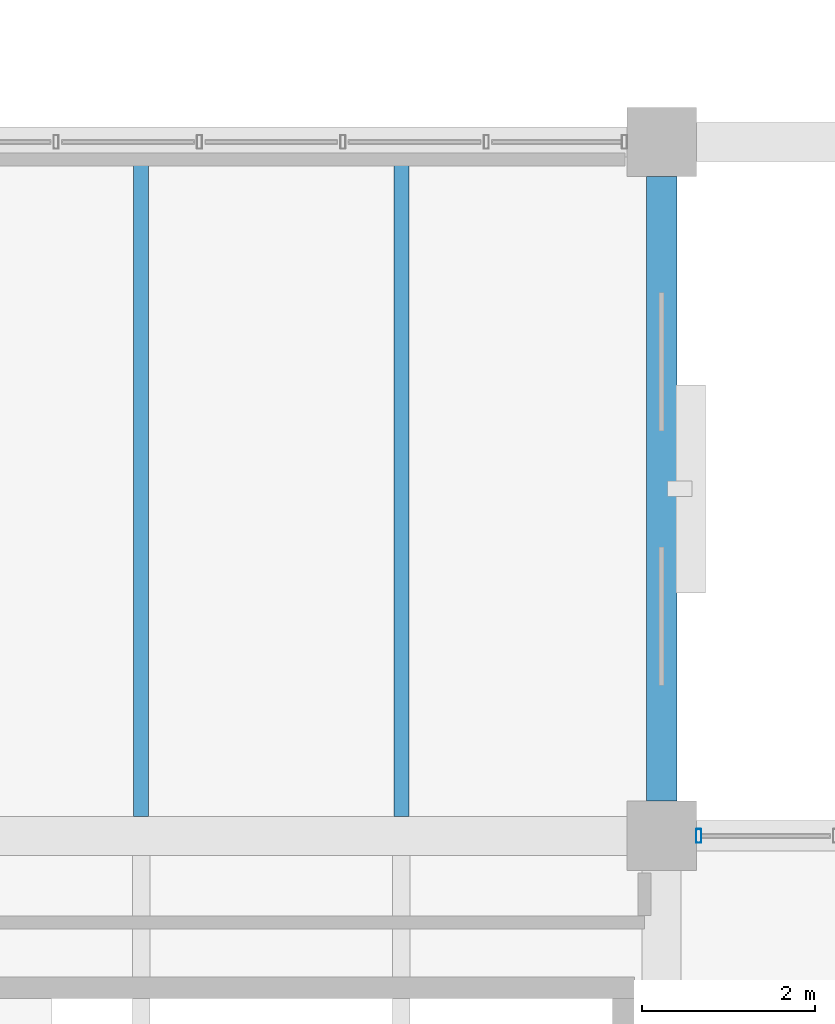
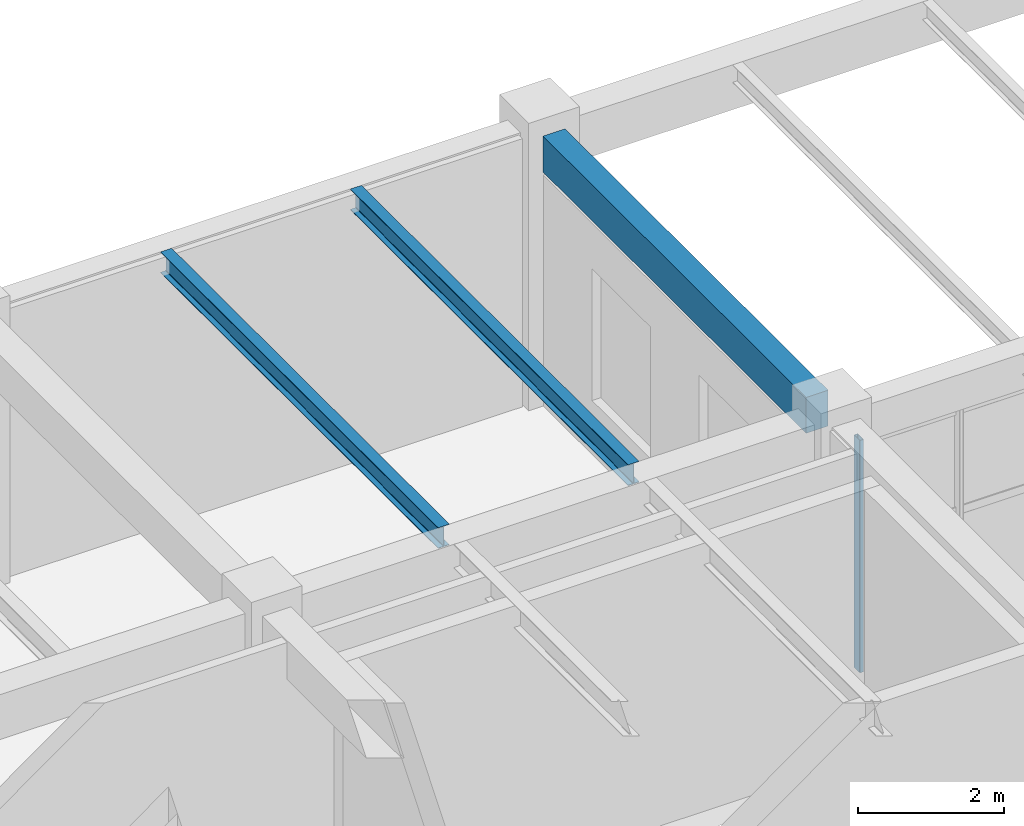
# One storey, part 79 of 178: 3 beams, 1 member, 1 element without a shape of its own.
"""IFC4 building model written with IfcOpenShell, lengths in metres."""

from ifc_helpers import new_model, si_unit, derived_unit, direction, frame, origin, origin_2d, place, context, subcontext, project, spatial, rectangle, hollow_rectangle, i_section, extrude, material, material_profile, profile_set, type_object, element, aggregate, save


model = new_model("IFC4")

# Units and contexts
model_context = context("Model", 3, precision=1e-05, world=origin(), true_north=direction((0.0, 1.0)))
body_context = subcontext(model_context, "Body", "Model", "MODEL_VIEW")
ifc_project = project(units=[si_unit("LENGTHUNIT", "METRE"), si_unit("AREAUNIT", "SQUARE_METRE"), si_unit("VOLUMEUNIT", "CUBIC_METRE"), si_unit("PLANEANGLEUNIT", "RADIAN"), si_unit("MASSUNIT", "GRAM", prefix="KILO"), derived_unit("THERMALTRANSMITTANCEUNIT", [(si_unit("MASSUNIT", "GRAM", prefix="KILO"), 1), (si_unit("TIMEUNIT", "SECOND"), -3), (si_unit("THERMODYNAMICTEMPERATUREUNIT", "KELVIN"), -1)])], contexts=[model_context])

# Site, building, storey
site_placement = place(None, origin())
site = spatial("IfcSite", under=ifc_project, at=site_placement, CompositionType="ELEMENT")
building_placement = place(site_placement, origin())
building = spatial("IfcBuilding", under=site, at=building_placement, Name="Zhenchuan Archway Interchange", CompositionType="ELEMENT")
storey_placement = place(building_placement, frame((0.0, 0.0, 5.39990234375)))
storey = spatial("IfcBuildingStorey", under=building, at=storey_placement, Name="L01", CompositionType="ELEMENT", Elevation=5.39990234375)

# Curtain wall, member
ifc_material_1 = material(Name="Anodised Aluminium", Category="aluminium")
curtain_wall_type = type_object("IfcCurtainWallType", Name="CW_UNIT_1", PredefinedType="NOTDEFINED", material=ifc_material_1)
curtain_wall_placement = place(storey_placement, origin())
curtain_wall = element("IfcCurtainWall", 1, at=curtain_wall_placement, inside=storey, type_object=curtain_wall_type, Name="Unitised curtain wall CW:L01:052", PredefinedType="NOTDEFINED")
ifc_material_profile_1 = material_profile(ifc_material_1, hollow_rectangle(XDim=0.06005859375, YDim=0.159912109375, WallThickness=0.00390625, InnerFilletRadius=0.00390625, OuterFilletRadius=0.008056640625, at=origin_2d()), Name="ALU 160x60x4")
ifc_profile_set_1 = profile_set([ifc_material_profile_1], Name="Anodised Aluminium")
member_type = type_object("IfcMemberType", Name="CW_MUL_150", PredefinedType="MULLION", material=ifc_profile_set_1)
member_placement = place(storey_placement, frame((63.427978515625, 88.0, 0.0), z_axis=(0.0, 0.0, 1.0), x_axis=(1.0, 0.0, 0.0)))
member = element("IfcMember", 2, at=member_placement, type_object=member_type, Name="CW:L01:052 mullion 0", PredefinedType="MULLION", context=body_context, shape_type="SweptSolid", body=[
    extrude(hollow_rectangle(XDim=0.06005859375, YDim=0.159912109375, WallThickness=0.00390625, InnerFilletRadius=0.00390625, OuterFilletRadius=0.008056640625, at=origin_2d()), origin(), (0.0, 0.0, 1.0), 3.880126953125),
])
aggregate(curtain_wall, [member])

# Beams
ifc_material_2 = material(Name="Steel Q355", Category="steel")
ifc_material_profile_2 = material_profile(ifc_material_2, i_section(OverallWidth=0.175048828125, OverallDepth=0.35009765625, WebThickness=0.007080078125, FlangeThickness=0.010986328125, FilletRadius=0.013916015625, at=origin_2d()), Name="HN 350x175")
ifc_profile_set_2 = profile_set([ifc_material_profile_2], Name="Steel Q355")
beam_type_1 = type_object("IfcBeamType", Name="JST_STL_HN350", PredefinedType="JOIST", material=ifc_profile_set_2)
for number, where, z_axis, x_axis, name in (
    (3, (57.0, 88.22509765625, 4.335205078125), (0.0, 1.0, 0.0), (-1.0, 0.0, 0.0), "Secondary joist 7-8/M-N #1 (L01)"),
    (4, (60.0, 88.22509765625, 4.335205078125), (0.0, 1.0, 0.0), (-1.0, 0.0, 0.0), "Secondary joist 7-8/M-N #2 (L01)"),
):
    element("IfcBeam", number, at=place(storey_placement, frame(where, z_axis=z_axis, x_axis=x_axis)), inside=storey, type_object=beam_type_1, Name=name, PredefinedType="JOIST", context=body_context, shape_type="SweptSolid", body=[
        extrude(i_section(OverallWidth=0.175048828125, OverallDepth=0.35009765625, WebThickness=0.007080078125, FlangeThickness=0.010986328125, FilletRadius=0.013916015625, at=origin_2d()), origin(), (0.0, 0.0, 1.0), 7.599853515625),
    ])
ifc_material_3 = material(Name="Concrete C40", Category="concrete")
ifc_material_profile_3 = material_profile(ifc_material_3, rectangle(XDim=0.35009765625, YDim=0.60009765625, at=origin_2d()), Name="RC 350x600")
ifc_profile_set_3 = profile_set([ifc_material_profile_3], Name="Concrete C40")
beam_type_2 = type_object("IfcBeamType", Name="SP_RC_350x600", PredefinedType="SPANDREL", material=ifc_profile_set_3)
beam_placement = place(storey_placement, frame((63.0, 88.39990234375, 4.210205078125), z_axis=(0.0, 1.0, 0.0), x_axis=(-1.0, 0.0, 0.0)))
element("IfcBeam", 5, at=beam_placement, inside=storey, type_object=beam_type_2, Name="Beam 8:M-N (L01)", PredefinedType="SPANDREL", context=body_context, shape_type="SweptSolid", body=[
    extrude(rectangle(XDim=0.35009765625, YDim=0.60009765625, at=origin_2d()), origin(), (0.0, 0.0, 1.0), 7.2001953125),
])

save(model, "model.ifc")
